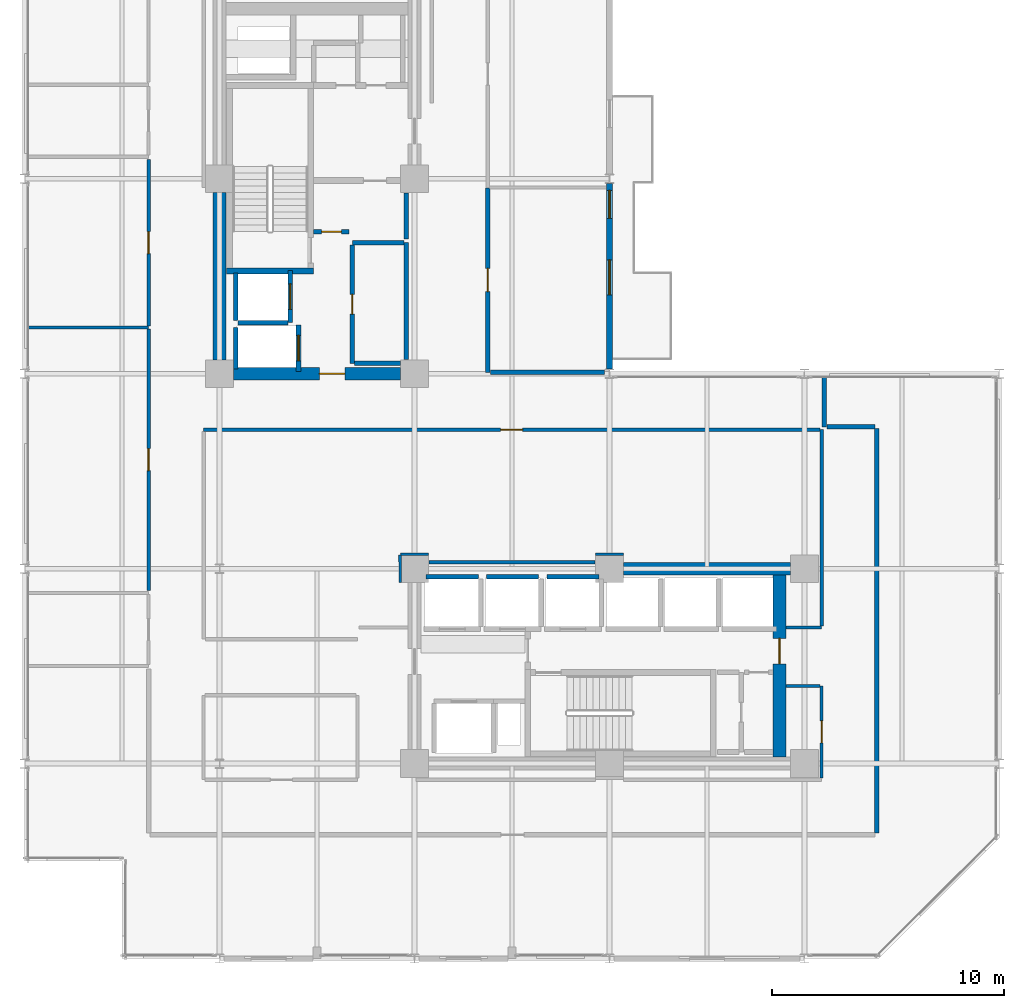
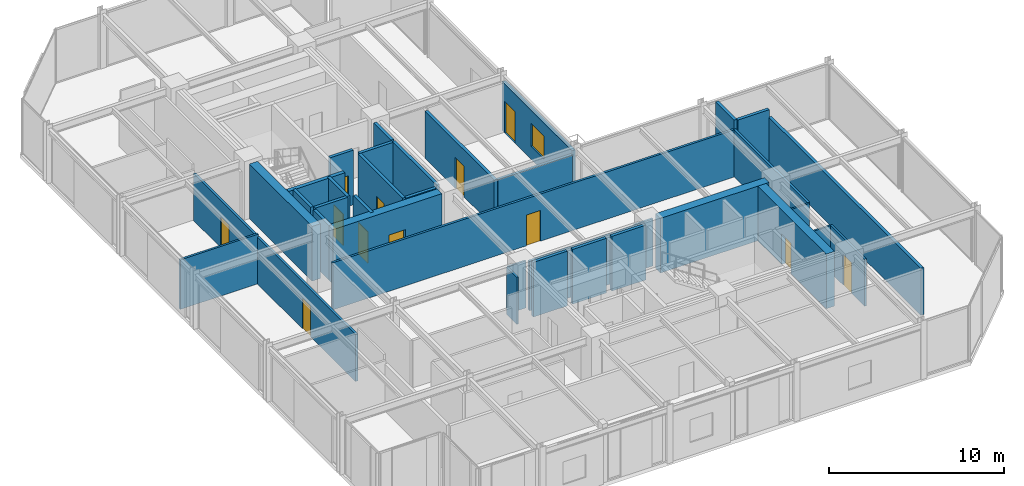
# One storey, part 25 of 29: 37 walls, 12 doors, 1 window, 13 openings.
"""IFC4 building model written with IfcOpenShell, lengths in metres."""

from ifc_helpers import new_model, si_unit, direction, frame, frame_2d, origin, place, context, subcontext, project, spatial, rectangle, extrude, material, layer, layer_set, type_object, element, fill, save


model = new_model("IFC4")

# Units and contexts
model_context = context("Model", 3, precision=1e-05, world=origin(), true_north=direction((0.0, 1.0)))
body_context = subcontext(model_context, "Body", "Model", "MODEL_VIEW")
ifc_project = project(units=[si_unit("LENGTHUNIT", "METRE"), si_unit("AREAUNIT", "SQUARE_METRE"), si_unit("VOLUMEUNIT", "CUBIC_METRE"), si_unit("PLANEANGLEUNIT", "RADIAN"), si_unit("MASSUNIT", "GRAM", prefix="KILO")], contexts=[model_context])

# Site, building, storey
site_placement = place(None, origin())
site = spatial("IfcSite", under=ifc_project, at=site_placement, CompositionType="ELEMENT")
building_placement = place(site_placement, origin())
building = spatial("IfcBuilding", under=site, at=building_placement, Name="Nerrivon Quay Data Exchange", CompositionType="ELEMENT")
storey_placement = place(building_placement, frame((0.0, 0.0, 137.699951171875)))
storey = spatial("IfcBuildingStorey", under=building, at=storey_placement, Name="L32", CompositionType="ELEMENT", Elevation=137.699951171875)

# Wall, openings, door, window
ifc_material_1 = material(Name="Architectural terracotta precast concrete N50 (50 MPa)", Category="masonry")
ifc_layer_1 = layer(ifc_material_1, 0.239990234375)
ifc_layer_set_1 = layer_set([ifc_layer_1], Name="Architectural terracotta precast concrete N50 (50 MPa)")
wall_type_1 = type_object("IfcWallType", Name="EW-PREC-240", PredefinedType="STANDARD", material=ifc_layer_set_1)
wall_1_placement = place(storey_placement, frame((25.199951171875, 33.39990234375, 0.0), z_axis=(0.0, 0.0, 1.0), x_axis=(0.0, -1.0, 0.0)))
wall_1 = element("IfcWall", 1, at=wall_1_placement, inside=storey, type_object=wall_type_1, Name="L32 Terrace Host Wall 25", PredefinedType="STANDARD", context=body_context, shape_type="SweptSolid", body=[
    extrude(rectangle(XDim=8.0, YDim=0.239990234375, at=frame_2d((4.0, 0.0))), origin(), (0.0, 0.0, 1.0), 3.422119140625),
])
opening_1_placement = place(wall_1_placement, frame((0.300048828125, 0.0, 0.0)))
opening_1 = element("IfcOpeningElement", 2, at=opening_1_placement, cuts=wall_1, Name="Opening TD1", PredefinedType="OPENING", context=body_context, shape_type="SweptSolid", body=[
    extrude(rectangle(XDim=1.199951171875, YDim=2.199951171875, at=frame_2d((0.60009765625, 1.10009765625))), frame((0.0, 0.1298828125, 0.0), z_axis=(0.0, -1.0, 0.0), x_axis=(1.0, 0.0, 0.0)), (0.0, 0.0, 1.0), 0.260009765625),
])
opening_2_placement = place(wall_1_placement, frame((3.299072265625, 0.0, 0.89990234375)))
opening_2 = element("IfcOpeningElement", 3, at=opening_2_placement, cuts=wall_1, Name="Opening WN4", PredefinedType="OPENING", context=body_context, shape_type="SweptSolid", body=[
    extrude(rectangle(XDim=1.5, YDim=1.60009765625, at=frame_2d((0.75, 0.800048828125))), frame((0.0, 0.1298828125, 0.0), z_axis=(0.0, -1.0, 0.0), x_axis=(1.0, 0.0, 0.0)), (0.0, 0.0, 1.0), 0.260009765625),
])
ifc_material_2 = material(Name="Double-glazed low-E solar control glass", Category="glass")
door_type_1 = type_object("IfcDoorType", Name="DR-TERR-1200x2200", OperationType="NOTDEFINED", PredefinedType="DOOR", material=ifc_material_2)
door_1_placement = place(opening_1_placement, origin())
door_1 = element("IfcDoor", 4, at=door_1_placement, inside=storey, type_object=door_type_1, Name="L32 Outdoor Terrace Access Door 25", OperationType="SINGLE_SWING_RIGHT", OverallHeight=2.199951171875, OverallWidth=1.199951171875, PredefinedType="DOOR", context=body_context, shape_type="SweptSolid", body=[
    extrude(rectangle(XDim=1.199951171875, YDim=2.199951171875, at=frame_2d((0.60009765625, 1.10009765625))), frame((0.0, 0.02490234375, 0.0), z_axis=(0.0, -1.0, 0.0), x_axis=(1.0, 0.0, 0.0)), (0.0, 0.0, 1.0), 0.050048828125),
])
fill(opening_1, door_1)
window_type = type_object("IfcWindowType", Name="WIN-W4-1500x1600", PartitioningType="SINGLE_PANEL", PredefinedType="WINDOW", material=ifc_material_2)
window_placement = place(opening_2_placement, origin())
window = element("IfcWindow", 5, at=window_placement, inside=storey, type_object=window_type, Name="L32 Terrace Side Window 25", OverallHeight=1.60009765625, OverallWidth=1.5, PartitioningType="SINGLE_PANEL", PredefinedType="WINDOW", context=body_context, shape_type="SweptSolid", body=[
    extrude(rectangle(XDim=1.5, YDim=1.60009765625, at=frame_2d((0.75, 0.800048828125))), frame((0.0, 0.030029296875, 0.0), z_axis=(0.0, -1.0, 0.0), x_axis=(1.0, 0.0, 0.0)), (0.0, 0.0, 1.0), 0.06005859375),
])
fill(opening_2, window)

# Wall
ifc_material_3 = material(Name="Concrete S65 (65 MPa)", Category="concrete")
ifc_layer_2 = layer(ifc_material_3, 0.550048828125)
ifc_layer_set_2 = layer_set([ifc_layer_2], Name="Concrete S65 (65 MPa)")
wall_type_2 = type_object("IfcWallType", Name="WALL-CW-700", PredefinedType="SHEAR", material=ifc_layer_set_2)
wall_2_placement = place(storey_placement, frame((8.39990234375, 25.800048828125, 0.0), z_axis=(0.0, 0.0, 1.0), x_axis=(0.0, 1.0, 0.0)))
element("IfcWall", 6, at=wall_2_placement, inside=storey, type_object=wall_type_2, Name="L32 West Split-Core Shear Wall WCW-W1", PredefinedType="SHEAR", context=body_context, shape_type="SweptSolid", body=[
    extrude(rectangle(XDim=7.199951171875, YDim=0.550048828125, at=frame_2d((3.60009765625, 0.0))), origin(), (0.0, 0.0, 1.0), 3.824951171875),
])

# Wall, opening, door
wall_3_placement = place(storey_placement, frame((9.0, 25.199951171875, 0.0), z_axis=(0.0, 0.0, 1.0), x_axis=(1.0, 0.0, 0.0)))
wall_3 = element("IfcWall", 7, at=wall_3_placement, inside=storey, type_object=wall_type_2, Name="L32 West Split-Core Shear Wall WCW-S1", PredefinedType="SHEAR", context=body_context, shape_type="SweptSolid", body=[
    extrude(rectangle(XDim=7.199951171875, YDim=0.550048828125, at=frame_2d((3.60009765625, 0.0))), origin(), (0.0, 0.0, 1.0), 3.824951171875),
])
opening_3_placement = place(wall_3_placement, frame((3.699951171875, 0.0, 0.0)))
opening_3 = element("IfcOpeningElement", 8, at=opening_3_placement, cuts=wall_3, Name="Opening FD-120", PredefinedType="OPENING", context=body_context, shape_type="SweptSolid", body=[
    extrude(rectangle(XDim=1.10009765625, YDim=2.14990234375, at=frame_2d((0.550048828125, 1.074951171875))), frame((0.0, 0.284912109375, 0.0), z_axis=(0.0, -1.0, 0.0), x_axis=(1.0, 0.0, 0.0)), (0.0, 0.0, 1.0), 0.570068359375),
])
ifc_material_4 = material(Name="Powder-coated galvanized steel sheet", Category="steel")
door_type_2 = type_object("IfcDoorType", Name="DR-FD120-1100", OperationType="NOTDEFINED", PredefinedType="DOOR", material=ifc_material_4)
door_2_placement = place(opening_3_placement, origin())
door_2 = element("IfcDoor", 9, at=door_2_placement, inside=storey, type_object=door_type_2, Name="L32 West Core Lobby Fire Door", OperationType="SINGLE_SWING_RIGHT", OverallHeight=2.14990234375, OverallWidth=1.10009765625, PredefinedType="DOOR", context=body_context, shape_type="SweptSolid", body=[
    extrude(rectangle(XDim=1.10009765625, YDim=2.14990234375, at=frame_2d((0.550048828125, 1.074951171875))), frame((0.0, 0.02490234375, 0.0), z_axis=(0.0, -1.0, 0.0), x_axis=(1.0, 0.0, 0.0)), (0.0, 0.0, 1.0), 0.050048828125),
])
fill(opening_3, door_2)

wall_4_placement = place(storey_placement, frame((32.52490234375, 8.675048828125, 0.0), z_axis=(0.0, 0.0, 1.0), x_axis=(0.0, 1.0, 0.0)))
wall_4 = element("IfcWall", 10, at=wall_4_placement, inside=storey, type_object=wall_type_2, Name="L32 East Split-Core Shear Wall ECW-E1", PredefinedType="SHEAR", context=body_context, shape_type="SweptSolid", body=[
    extrude(rectangle(XDim=7.849853515625, YDim=0.550048828125, at=frame_2d((3.9248046875, 0.0))), origin(), (0.0, 0.0, 1.0), 3.824951171875),
])
opening_4_placement = place(wall_4_placement, frame((4.02490234375, 0.0, 0.0)))
opening_4 = element("IfcOpeningElement", 11, at=opening_4_placement, cuts=wall_4, Name="Opening FD-120", PredefinedType="OPENING", context=body_context, shape_type="SweptSolid", body=[
    extrude(rectangle(XDim=1.10009765625, YDim=2.14990234375, at=frame_2d((0.550048828125, 1.074951171875))), frame((0.0, 0.284912109375, 0.0), z_axis=(0.0, -1.0, 0.0), x_axis=(1.0, 0.0, 0.0)), (0.0, 0.0, 1.0), 0.570068359375),
])
door_3_placement = place(opening_4_placement, origin())
door_3 = element("IfcDoor", 12, at=door_3_placement, inside=storey, type_object=door_type_2, Name="L32 East Core Lobby Fire Door", OperationType="SINGLE_SWING_LEFT", OverallHeight=2.14990234375, OverallWidth=1.10009765625, PredefinedType="DOOR", context=body_context, shape_type="SweptSolid", body=[
    extrude(rectangle(XDim=1.10009765625, YDim=2.14990234375, at=frame_2d((0.550048828125, 1.074951171875))), frame((0.0, 0.02490234375, 0.0), z_axis=(0.0, -1.0, 0.0), x_axis=(1.0, 0.0, 0.0)), (0.0, 0.0, 1.0), 0.050048828125),
])
fill(opening_4, door_3)

# Wall
wall_5_placement = place(storey_placement, frame((25.800048828125, 16.800048828125, 0.0), z_axis=(0.0, 0.0, 1.0), x_axis=(1.0, 0.0, 0.0)))
element("IfcWall", 13, at=wall_5_placement, inside=storey, type_object=wall_type_2, Name="L32 East Split-Core Shear Wall ECW-N1", PredefinedType="SHEAR", context=body_context, shape_type="SweptSolid", body=[
    extrude(rectangle(XDim=7.199951171875, YDim=0.550048828125, at=frame_2d((3.60009765625, 0.0))), origin(), (0.0, 0.0, 1.0), 3.824951171875),
])

# Wall, opening, door
ifc_material_5 = material(Name="Gypsum plasterboard on cold-formed framing", Category="gypsum")
ifc_layer_3 = layer(ifc_material_5, 0.199951171875)
ifc_layer_set_3 = layer_set([ifc_layer_3], Name="Gypsum plasterboard on cold-formed framing")
wall_type_3 = type_object("IfcWallType", Name="WALL-FW-200", PredefinedType="PARTITIONING", material=ifc_layer_set_3)
wall_6_placement = place(storey_placement, frame((11.449951171875, 27.39990234375, 0.0), z_axis=(0.0, 0.0, 1.0), x_axis=(0.0, 1.0, 0.0)))
wall_6 = element("IfcWall", 14, at=wall_6_placement, inside=storey, type_object=wall_type_3, Name="L32 Lift Front Wall FFL-1", PredefinedType="PARTITIONING", context=body_context, shape_type="SweptSolid", body=[
    extrude(rectangle(XDim=2.25, YDim=0.199951171875, at=frame_2d((1.125, 0.0))), origin(), (0.0, 0.0, 1.0), 3.824951171875),
])
opening_5_placement = place(wall_6_placement, frame((0.574951171875, 0.0, 0.0)))
opening_5 = element("IfcOpeningElement", 15, at=opening_5_placement, cuts=wall_6, Name="Opening LD-120", PredefinedType="OPENING", context=body_context, shape_type="SweptSolid", body=[
    extrude(rectangle(XDim=1.10009765625, YDim=2.199951171875, at=frame_2d((0.550048828125, 1.10009765625))), frame((0.0, 0.10986328125, 0.0), z_axis=(0.0, -1.0, 0.0), x_axis=(1.0, 0.0, 0.0)), (0.0, 0.0, 1.0), 0.219970703125),
])
door_type_3 = type_object("IfcDoorType", Name="DR-LIFT-LD120", OperationType="DOUBLE_DOOR_SLIDING", PredefinedType="DOOR", material=ifc_material_4)
door_4_placement = place(opening_5_placement, origin())
door_4 = element("IfcDoor", 16, at=door_4_placement, inside=storey, type_object=door_type_3, Name="L32 Lift Landing Sliding Door FFL-1", OperationType="DOUBLE_DOOR_SLIDING", OverallHeight=2.199951171875, OverallWidth=1.10009765625, PredefinedType="DOOR", context=body_context, shape_type="SweptSolid", body=[
    extrude(rectangle(XDim=1.10009765625, YDim=2.199951171875, at=frame_2d((0.550048828125, 1.10009765625))), frame((0.0, 0.02490234375, 0.0), z_axis=(0.0, -1.0, 0.0), x_axis=(1.0, 0.0, 0.0)), (0.0, 0.0, 1.0), 0.050048828125),
])
fill(opening_5, door_4)

# Walls
wall_7_placement = place(storey_placement, frame((9.10009765625, 27.5, 0.0), z_axis=(0.0, 0.0, 1.0), x_axis=(0.0, 1.0, 0.0)))
element("IfcWall", 17, at=wall_7_placement, inside=storey, type_object=wall_type_3, Name="L32 Lift Shaft Wall FFL-1 WEST", PredefinedType="PARTITIONING", context=body_context, shape_type="SweptSolid", body=[
    extrude(rectangle(XDim=2.050048828125, YDim=0.199951171875, at=frame_2d((1.02490234375, 0.0))), origin(), (0.0, 0.0, 1.0), 3.824951171875),
])
wall_8_placement = place(storey_placement, frame((9.199951171875, 27.39990234375, 0.0), z_axis=(0.0, 0.0, 1.0), x_axis=(1.0, 0.0, 0.0)))
element("IfcWall", 18, at=wall_8_placement, inside=storey, type_object=wall_type_3, Name="L32 Lift Shaft Wall FFL-1 SOUTH", PredefinedType="PARTITIONING", context=body_context, shape_type="SweptSolid", body=[
    extrude(rectangle(XDim=2.150146484375, YDim=0.199951171875, at=frame_2d((1.0751953125, 0.0))), origin(), (0.0, 0.0, 1.0), 3.824951171875),
])

# Wall, opening, door
wall_9_placement = place(storey_placement, frame((11.800048828125, 25.300048828125, 0.0), z_axis=(0.0, 0.0, 1.0), x_axis=(0.0, 1.0, 0.0)))
wall_9 = element("IfcWall", 19, at=wall_9_placement, inside=storey, type_object=wall_type_3, Name="L32 Lift Front Wall SVL-1", PredefinedType="PARTITIONING", context=body_context, shape_type="SweptSolid", body=[
    extrude(rectangle(XDim=2.0, YDim=0.199951171875, at=frame_2d((1.0, 0.0))), origin(), (0.0, 0.0, 1.0), 3.824951171875),
])
opening_6_placement = place(wall_9_placement, frame((0.449951171875, 0.0, 0.0)))
opening_6 = element("IfcOpeningElement", 20, at=opening_6_placement, cuts=wall_9, Name="Opening LD-120", PredefinedType="OPENING", context=body_context, shape_type="SweptSolid", body=[
    extrude(rectangle(XDim=1.10009765625, YDim=2.199951171875, at=frame_2d((0.550048828125, 1.10009765625))), frame((0.0, 0.10986328125, 0.0), z_axis=(0.0, -1.0, 0.0), x_axis=(1.0, 0.0, 0.0)), (0.0, 0.0, 1.0), 0.219970703125),
])
door_5_placement = place(opening_6_placement, origin())
door_5 = element("IfcDoor", 21, at=door_5_placement, inside=storey, type_object=door_type_3, Name="L32 Lift Landing Sliding Door SVL-1", OperationType="DOUBLE_DOOR_SLIDING", OverallHeight=2.199951171875, OverallWidth=1.10009765625, PredefinedType="DOOR", context=body_context, shape_type="SweptSolid", body=[
    extrude(rectangle(XDim=1.10009765625, YDim=2.199951171875, at=frame_2d((0.550048828125, 1.10009765625))), frame((0.0, 0.02490234375, 0.0), z_axis=(0.0, -1.0, 0.0), x_axis=(1.0, 0.0, 0.0)), (0.0, 0.0, 1.0), 0.050048828125),
])
fill(opening_6, door_5)

# Walls
wall_10_placement = place(storey_placement, frame((9.10009765625, 25.39990234375, 0.0), z_axis=(0.0, 0.0, 1.0), x_axis=(0.0, 1.0, 0.0)))
element("IfcWall", 22, at=wall_10_placement, inside=storey, type_object=wall_type_3, Name="L32 Lift Shaft Wall SVL-1 WEST", PredefinedType="PARTITIONING", context=body_context, shape_type="SweptSolid", body=[
    extrude(rectangle(XDim=1.800048828125, YDim=0.199951171875, at=frame_2d((0.89990234375, 0.0))), origin(), (0.0, 0.0, 1.0), 3.824951171875),
])
for number, where, z_axis, x_axis, name in (
    (23, (17.300048828125, 16.449951171875, 0.0), (0.0, 0.0, 1.0), (1.0, 0.0, 0.0), "L32 Lift Shaft Wall PL4 NORTH"),
    (24, (19.89990234375, 16.449951171875, 0.0), (0.0, 0.0, 1.0), (1.0, 0.0, 0.0), "L32 Lift Shaft Wall PL5 NORTH"),
    (25, (22.5, 16.449951171875, 0.0), (0.0, 0.0, 1.0), (1.0, 0.0, 0.0), "L32 Lift Shaft Wall PL6 NORTH"),
):
    element("IfcWall", number, at=place(storey_placement, frame(where, z_axis=z_axis, x_axis=x_axis)), inside=storey, type_object=wall_type_3, Name=name, PredefinedType="PARTITIONING", context=body_context, shape_type="SweptSolid", body=[
        extrude(rectangle(XDim=2.25, YDim=0.199951171875, at=frame_2d((1.125, 0.0))), origin(), (0.0, 0.0, 1.0), 3.824951171875),
    ])
wall_11_placement = place(storey_placement, frame((16.449951171875, 25.804931640625, 0.0), z_axis=(0.0, 0.0, 1.0), x_axis=(0.0, 1.0, 0.0)))
element("IfcWall", 26, at=wall_11_placement, inside=storey, type_object=wall_type_3, Name="L32 Partition Fibre Patch Store", PredefinedType="PARTITIONING", context=body_context, shape_type="SweptSolid", body=[
    extrude(rectangle(XDim=5.045166015625, YDim=0.199951171875, at=frame_2d((2.5224609375, 0.0))), origin(), (0.0, 0.0, 1.0), 3.824951171875),
])
wall_12_placement = place(storey_placement, frame((16.345947265625, 30.85009765625, 0.0), z_axis=(0.0, 0.0, 1.0), x_axis=(-1.0, 0.0, 0.0)))
element("IfcWall", 27, at=wall_12_placement, inside=storey, type_object=wall_type_3, Name="L32 Partition Fibre Patch Store", PredefinedType="PARTITIONING", context=body_context, shape_type="SweptSolid", body=[
    extrude(rectangle(XDim=2.225830078125, YDim=0.199951171875, at=frame_2d((1.11279296875, 0.0))), origin(), (0.0, 0.0, 1.0), 3.824951171875),
])

# Wall, opening, door
wall_13_placement = place(storey_placement, frame((14.1201171875, 30.74609375, 0.0), z_axis=(0.0, 0.0, 1.0), x_axis=(0.0, -1.0, 0.0)))
wall_13 = element("IfcWall", 28, at=wall_13_placement, inside=storey, type_object=wall_type_3, Name="L32 Partition Fibre Patch Store", PredefinedType="PARTITIONING", context=body_context, shape_type="SweptSolid", body=[
    extrude(rectangle(XDim=5.09619140625, YDim=0.199951171875, at=frame_2d((2.548095703125, 0.0))), origin(), (0.0, 0.0, 1.0), 3.824951171875),
])
opening_7_placement = place(wall_13_placement, frame((2.123046875, 0.0, 0.0)))
opening_7 = element("IfcOpeningElement", 29, at=opening_7_placement, cuts=wall_13, Name="Opening FD-60S", PredefinedType="OPENING", context=body_context, shape_type="SweptSolid", body=[
    extrude(rectangle(XDim=0.85009765625, YDim=2.14990234375, at=frame_2d((0.425048828125, 1.074951171875))), frame((0.0, 0.10986328125, 0.0), z_axis=(0.0, -1.0, 0.0), x_axis=(1.0, 0.0, 0.0)), (0.0, 0.0, 1.0), 0.219970703125),
])
ifc_material_6 = material(Name="Engineered hardwood timber", Category="wood")
door_type_4 = type_object("IfcDoorType", Name="DR-FD60-850", OperationType="NOTDEFINED", PredefinedType="DOOR", material=ifc_material_6)
door_6_placement = place(opening_7_placement, origin())
door_6 = element("IfcDoor", 30, at=door_6_placement, inside=storey, type_object=door_type_4, Name="L32 Door Fibre Patch Store", OperationType="SINGLE_SWING_LEFT", OverallHeight=2.14990234375, OverallWidth=0.85009765625, PredefinedType="DOOR", context=body_context, shape_type="SweptSolid", body=[
    extrude(rectangle(XDim=0.85009765625, YDim=2.14990234375, at=frame_2d((0.425048828125, 1.074951171875))), frame((0.0, 0.02490234375, 0.0), z_axis=(0.0, -1.0, 0.0), x_axis=(1.0, 0.0, 0.0)), (0.0, 0.0, 1.0), 0.050048828125),
])
fill(opening_7, door_6)

# Wall
wall_14_placement = place(storey_placement, frame((14.22412109375, 25.64990234375, 0.0), z_axis=(0.0, 0.0, 1.0), x_axis=(1.0, 0.0, 0.0)))
element("IfcWall", 31, at=wall_14_placement, inside=storey, type_object=wall_type_3, Name="L32 Partition Fibre Patch Store", PredefinedType="PARTITIONING", context=body_context, shape_type="SweptSolid", body=[
    extrude(rectangle(XDim=1.970947265625, YDim=0.199951171875, at=frame_2d((0.9853515625, 0.0))), origin(), (0.0, 0.0, 1.0), 3.824951171875),
])

# Wall, opening, door
wall_15_placement = place(storey_placement, frame((12.4541015625, 31.320068359375, 0.0), z_axis=(0.0, 0.0, 1.0), x_axis=(0.999999949061, -0.000319182876, 0.0)))
wall_15 = element("IfcWall", 32, at=wall_15_placement, inside=storey, type_object=wall_type_3, Name="L32 Partition Core Equipment Closet", PredefinedType="PARTITIONING", context=body_context, shape_type="SweptSolid", body=[
    extrude(rectangle(XDim=1.52978515625, YDim=0.199951171875, at=frame_2d((0.764892578125, 0.0))), origin(), (0.0, 0.0, 1.0), 3.824951171875),
])
opening_8_placement = place(wall_15_placement, frame((0.340087890625, 0.0, 0.0)))
opening_8 = element("IfcOpeningElement", 33, at=opening_8_placement, cuts=wall_15, Name="Opening FD-60S", PredefinedType="OPENING", context=body_context, shape_type="SweptSolid", body=[
    extrude(rectangle(XDim=0.85009765625, YDim=2.14990234375, at=frame_2d((0.425048828125, 1.074951171875))), frame((0.0, 0.10986328125, 0.0), z_axis=(0.0, -1.0, 0.0), x_axis=(1.0, 0.0, 0.0)), (0.0, 0.0, 1.0), 0.219970703125),
])
door_7_placement = place(opening_8_placement, origin())
door_7 = element("IfcDoor", 34, at=door_7_placement, inside=storey, type_object=door_type_4, Name="L32 Door Core Equipment Closet", OperationType="SINGLE_SWING_RIGHT", OverallHeight=2.14990234375, OverallWidth=0.85009765625, PredefinedType="DOOR", context=body_context, shape_type="SweptSolid", body=[
    extrude(rectangle(XDim=0.85009765625, YDim=2.14990234375, at=frame_2d((0.425048828125, 1.074951171875))), frame((0.0, 0.02490234375, 0.0), z_axis=(0.0, -1.0, 0.0), x_axis=(1.0, 0.0, 0.0)), (0.0, 0.0, 1.0), 0.050048828125),
])
fill(opening_8, door_7)

# Walls
wall_16_placement = place(storey_placement, frame((16.449951171875, 31.0, 0.0), z_axis=(0.0, 0.0, 1.0), x_axis=(0.0, 1.0, 0.0)))
element("IfcWall", 35, at=wall_16_placement, inside=storey, type_object=wall_type_3, Name="L32 Partition Core Equipment Closet", PredefinedType="PARTITIONING", context=body_context, shape_type="SweptSolid", body=[
    extrude(rectangle(XDim=1.9951171875, YDim=0.199951171875, at=frame_2d((0.99755859375, 0.0))), origin(), (0.0, 0.0, 1.0), 3.824951171875),
])
wall_17_placement = place(storey_placement, frame((34.4599609375, 25.031005859375, 0.0), z_axis=(0.0, 0.0, 1.0), x_axis=(0.0, -1.0, 0.0)))
element("IfcWall", 36, at=wall_17_placement, inside=storey, type_object=wall_type_3, Name="L32 Partition Colocation Data Workspace 1", PredefinedType="PARTITIONING", context=body_context, shape_type="SweptSolid", body=[
    extrude(rectangle(XDim=2.12109375, YDim=0.199951171875, at=frame_2d((1.060546875, 0.0))), origin(), (0.0, 0.0, 1.0), 3.824951171875),
])
wall_18_placement = place(storey_placement, frame((34.56396484375, 22.909912109375, 0.0), z_axis=(0.0, 0.0, 1.0), x_axis=(1.0, 0.0, 0.0)))
element("IfcWall", 37, at=wall_18_placement, inside=storey, type_object=wall_type_3, Name="L32 Partition Colocation Data Workspace 1", PredefinedType="PARTITIONING", context=body_context, shape_type="SweptSolid", body=[
    extrude(rectangle(XDim=2.0859375, YDim=0.199951171875, at=frame_2d((1.04296875, 0.0))), origin(), (0.0, 0.0, 1.0), 3.824951171875),
])
wall_19_placement = place(storey_placement, frame((36.7099609375, 22.85009765625, 0.0), z_axis=(0.0, 0.0, 1.0), x_axis=(0.0, -1.0, 0.0)))
element("IfcWall", 38, at=wall_19_placement, inside=storey, type_object=wall_type_3, Name="L32 Partition Colocation Data Workspace 1", PredefinedType="PARTITIONING", context=body_context, shape_type="SweptSolid", body=[
    extrude(rectangle(XDim=17.4501953125, YDim=0.199951171875, at=frame_2d((8.72509765625, 0.0))), origin(), (0.0, 0.0, 1.0), 3.2919921875),
])

# Wall, opening, door
wall_20_placement = place(storey_placement, frame((19.9599609375, 33.2119140625, 0.0), z_axis=(0.0, 0.0, 1.0), x_axis=(0.0, -1.0, 0.0)))
wall_20 = element("IfcWall", 39, at=wall_20_placement, inside=storey, type_object=wall_type_3, Name="L32 Partition Colocation Data Workspace 1", PredefinedType="PARTITIONING", context=body_context, shape_type="SweptSolid", body=[
    extrude(rectangle(XDim=7.951904296875, YDim=0.199951171875, at=frame_2d((3.97607421875, 0.0))), origin(), (0.0, 0.0, 1.0), 3.2919921875),
])
opening_9_placement = place(wall_20_placement, frame((3.47607421875, 0.0, 0.0)))
opening_9 = element("IfcOpeningElement", 40, at=opening_9_placement, cuts=wall_20, Name="Opening FD-60", PredefinedType="OPENING", context=body_context, shape_type="SweptSolid", body=[
    extrude(rectangle(XDim=1.0, YDim=2.14990234375, at=frame_2d((0.5, 1.074951171875))), frame((0.0, 0.10986328125, 0.0), z_axis=(0.0, -1.0, 0.0), x_axis=(1.0, 0.0, 0.0)), (0.0, 0.0, 1.0), 0.219970703125),
])
door_type_5 = type_object("IfcDoorType", Name="DR-FD60-1000", OperationType="NOTDEFINED", PredefinedType="DOOR", material=ifc_material_6)
door_8_placement = place(opening_9_placement, origin())
door_8 = element("IfcDoor", 41, at=door_8_placement, inside=storey, type_object=door_type_5, Name="L32 Door Colocation Data Workspace 1", OperationType="SINGLE_SWING_RIGHT", OverallHeight=2.14990234375, OverallWidth=1.0, PredefinedType="DOOR", context=body_context, shape_type="SweptSolid", body=[
    extrude(rectangle(XDim=1.0, YDim=2.14990234375, at=frame_2d((0.5, 1.074951171875))), frame((0.0, 0.02490234375, 0.0), z_axis=(0.0, -1.0, 0.0), x_axis=(1.0, 0.0, 0.0)), (0.0, 0.0, 1.0), 0.050048828125),
])
fill(opening_9, door_8)

# Walls
wall_21_placement = place(storey_placement, frame((20.06396484375, 25.260009765625, 0.0), z_axis=(0.0, 0.0, 1.0), x_axis=(1.0, 0.0, 0.0)))
element("IfcWall", 42, at=wall_21_placement, inside=storey, type_object=wall_type_3, Name="L32 Partition Colocation Data Workspace 1", PredefinedType="PARTITIONING", context=body_context, shape_type="SweptSolid", body=[
    extrude(rectangle(XDim=4.916015625, YDim=0.199951171875, at=frame_2d((2.4580078125, 0.0))), origin(), (0.0, 0.0, 1.0), 3.2919921875),
])
ifc_layer_4 = layer(ifc_material_5, 0.1201171875)
ifc_layer_set_4 = layer_set([ifc_layer_4], Name="Gypsum plasterboard on cold-formed framing")
wall_type_4 = type_object("IfcWallType", Name="WALL-PT-120", PredefinedType="PARTITIONING", material=ifc_layer_set_4)
wall_22_placement = place(storey_placement, frame((34.2685546875, 11.739990234375, 0.0), z_axis=(0.0, 0.0, 1.0), x_axis=(-1.0, 0.0, 0.0)))
element("IfcWall", 43, at=wall_22_placement, inside=storey, type_object=wall_type_4, Name="L32 Partition Staff Pantry", PredefinedType="PARTITIONING", context=body_context, shape_type="SweptSolid", body=[
    extrude(rectangle(XDim=1.464599609375, YDim=0.1201171875, at=frame_2d((0.732421875, 0.0))), origin(), (0.0, 0.0, 1.0), 3.297119140625),
])
wall_23_placement = place(storey_placement, frame((16.180908203125, 16.194091796875, 0.0), z_axis=(0.0, 0.0, 1.0), x_axis=(-0.000809880277, 0.999999672047, 0.0)))
element("IfcWall", 44, at=wall_23_placement, inside=storey, type_object=wall_type_4, Name="L32 Partition Peering Huddle Meeting Room", PredefinedType="PARTITIONING", context=body_context, shape_type="SweptSolid", body=[
    extrude(rectangle(XDim=1.205810546875, YDim=0.1201171875, at=frame_2d((0.60302734375, 0.0))), origin(), (0.0, 0.0, 1.0), 3.2919921875),
])
for number, where, z_axis, x_axis, name in (
    (45, (16.199951171875, 17.419921875, 0.0), (0.0, 0.0, 1.0), (0.999999815526, -0.000607410295, 0.0), "L32 Partition Peering Huddle Meeting Room"),
    (46, (24.59423828125, 17.419189453125, 0.0), (0.0, 0.0, 1.0), (0.999999815526, 0.000607410295, 0.0), "L32 Partition Peering Huddle Meeting Room"),
):
    element("IfcWall", number, at=place(storey_placement, frame(where, z_axis=z_axis, x_axis=x_axis)), inside=storey, type_object=wall_type_4, Name=name, PredefinedType="PARTITIONING", context=body_context, shape_type="SweptSolid", body=[
        extrude(rectangle(XDim=1.205810546875, YDim=0.1201171875, at=frame_2d((0.60302734375, 0.0))), origin(), (0.0, 0.0, 1.0), 3.297119140625),
    ])
wall_24_placement = place(storey_placement, frame((32.803955078125, 14.260009765625, 0.0), z_axis=(0.0, 0.0, 1.0), x_axis=(1.0, 0.0, 0.0)))
element("IfcWall", 47, at=wall_24_placement, inside=storey, type_object=wall_type_4, Name="L32 Partition Peering Huddle Meeting Room", PredefinedType="PARTITIONING", context=body_context, shape_type="SweptSolid", body=[
    extrude(rectangle(XDim=1.5361328125, YDim=0.1201171875, at=frame_2d((0.76806640625, 0.0))), origin(), (0.0, 0.0, 1.0), 3.297119140625),
])

# Wall, opening, door
ifc_layer_5 = layer(ifc_material_5, 0.135009765625)
ifc_layer_set_5 = layer_set([ifc_layer_5], Name="Gypsum plasterboard on cold-formed framing")
wall_type_5 = type_object("IfcWallType", Name="WALL-PT-135", PredefinedType="PARTITIONING", material=ifc_layer_set_5)
wall_25_placement = place(storey_placement, frame((34.340087890625, 7.7890625, 0.0), z_axis=(0.0, 0.0, 1.0), x_axis=(0.0, 1.0, 0.0)))
wall_25 = element("IfcWall", 48, at=wall_25_placement, inside=storey, type_object=wall_type_5, Name="L32 Partition Staff Pantry", PredefinedType="PARTITIONING", context=body_context, shape_type="SweptSolid", body=[
    extrude(rectangle(XDim=3.950927734375, YDim=0.135009765625, at=frame_2d((1.9755859375, 0.0))), origin(), (0.0, 0.0, 1.0), 3.2919921875),
])
opening_10_placement = place(wall_25_placement, frame((1.50048828125, 0.0, 0.0)))
opening_10 = element("IfcOpeningElement", 49, at=opening_10_placement, cuts=wall_25, Name="Opening D-01", PredefinedType="OPENING", context=body_context, shape_type="SweptSolid", body=[
    extrude(rectangle(XDim=0.949951171875, YDim=2.14990234375, at=frame_2d((0.47509765625, 1.074951171875))), frame((0.0, 0.077392578125, 0.0), z_axis=(0.0, -1.0, 0.0), x_axis=(1.0, 0.0, 0.0)), (0.0, 0.0, 1.0), 0.155029296875),
])
door_type_6 = type_object("IfcDoorType", Name="DR-INT-950", OperationType="NOTDEFINED", PredefinedType="DOOR", material=ifc_material_6)
door_9_placement = place(opening_10_placement, origin())
door_9 = element("IfcDoor", 50, at=door_9_placement, inside=storey, type_object=door_type_6, Name="L32 Door Staff Pantry", OperationType="SINGLE_SWING_LEFT", OverallHeight=2.14990234375, OverallWidth=0.949951171875, PredefinedType="DOOR", context=body_context, shape_type="SweptSolid", body=[
    extrude(rectangle(XDim=0.949951171875, YDim=2.14990234375, at=frame_2d((0.47509765625, 1.074951171875))), frame((0.0, 0.02490234375, 0.0), z_axis=(0.0, -1.0, 0.0), x_axis=(1.0, 0.0, 0.0)), (0.0, 0.0, 1.0), 0.050048828125),
])
fill(opening_10, door_9)

# Wall
wall_26_placement = place(storey_placement, frame((0.1689453125, 27.191650390625, 0.0), z_axis=(0.0, 0.0, 1.0), x_axis=(1.0, 0.0, 0.0)))
element("IfcWall", 51, at=wall_26_placement, inside=storey, type_object=wall_type_5, Name="L32 Partition Engineers Lounge", PredefinedType="PARTITIONING", context=body_context, shape_type="SweptSolid", body=[
    extrude(rectangle(XDim=5.171142578125, YDim=0.135009765625, at=frame_2d((2.58544921875, 0.0))), origin(), (0.0, 0.0, 1.0), 3.468994140625),
])

# Wall, opening, door
ifc_layer_6 = layer(ifc_material_5, 0.14990234375)
ifc_layer_set_6 = layer_set([ifc_layer_6], Name="Gypsum plasterboard on cold-formed framing")
wall_type_6 = type_object("IfcWallType", Name="WALL-PT-150", PredefinedType="PARTITIONING", material=ifc_layer_set_6)
wall_27_placement = place(storey_placement, frame((5.340087890625, 27.26318359375, 0.0), z_axis=(0.0, 0.0, 1.0), x_axis=(0.0, 1.0, 0.0)))
wall_27 = element("IfcWall", 52, at=wall_27_placement, inside=storey, type_object=wall_type_6, Name="L32 Partition Engineers Lounge", PredefinedType="PARTITIONING", context=body_context, shape_type="SweptSolid", body=[
    extrude(rectangle(XDim=7.166748046875, YDim=0.14990234375, at=frame_2d((3.58349609375, 0.0))), origin(), (0.0, 0.0, 1.0), 3.2919921875),
])
opening_11_placement = place(wall_27_placement, frame((3.1083984375, 0.0, 0.0)))
opening_11 = element("IfcOpeningElement", 53, at=opening_11_placement, cuts=wall_27, Name="Opening D-01", PredefinedType="OPENING", context=body_context, shape_type="SweptSolid", body=[
    extrude(rectangle(XDim=0.949951171875, YDim=2.14990234375, at=frame_2d((0.47509765625, 1.074951171875))), frame((0.0, 0.0849609375, 0.0), z_axis=(0.0, -1.0, 0.0), x_axis=(1.0, 0.0, 0.0)), (0.0, 0.0, 1.0), 0.169921875),
])
door_10_placement = place(opening_11_placement, origin())
door_10 = element("IfcDoor", 54, at=door_10_placement, inside=storey, type_object=door_type_6, Name="L32 Door Engineers Lounge", OperationType="SINGLE_SWING_LEFT", OverallHeight=2.14990234375, OverallWidth=0.949951171875, PredefinedType="DOOR", context=body_context, shape_type="SweptSolid", body=[
    extrude(rectangle(XDim=0.949951171875, YDim=2.14990234375, at=frame_2d((0.47509765625, 1.074951171875))), frame((0.0, 0.02490234375, 0.0), z_axis=(0.0, -1.0, 0.0), x_axis=(1.0, 0.0, 0.0)), (0.0, 0.0, 1.0), 0.050048828125),
])
fill(opening_11, door_10)

wall_28_placement = place(storey_placement, frame((5.340087890625, 15.8701171875, 0.0), z_axis=(0.0, 0.0, 1.0), x_axis=(0.0, 1.0, 0.0)))
wall_28 = element("IfcWall", 55, at=wall_28_placement, inside=storey, type_object=wall_type_6, Name="L32 Partition Peering Day Lounge", PredefinedType="PARTITIONING", context=body_context, shape_type="SweptSolid", body=[
    extrude(rectangle(XDim=11.25, YDim=0.14990234375, at=frame_2d((5.625, 0.0))), origin(), (0.0, 0.0, 1.0), 3.2919921875),
])
opening_12_placement = place(wall_28_placement, frame((5.150146484375, 0.0, 0.0)))
opening_12 = element("IfcOpeningElement", 56, at=opening_12_placement, cuts=wall_28, Name="Opening D-01", PredefinedType="OPENING", context=body_context, shape_type="SweptSolid", body=[
    extrude(rectangle(XDim=0.949951171875, YDim=2.14990234375, at=frame_2d((0.47509765625, 1.074951171875))), frame((0.0, 0.0849609375, 0.0), z_axis=(0.0, -1.0, 0.0), x_axis=(1.0, 0.0, 0.0)), (0.0, 0.0, 1.0), 0.169921875),
])
door_11_placement = place(opening_12_placement, origin())
door_11 = element("IfcDoor", 57, at=door_11_placement, inside=storey, type_object=door_type_6, Name="L32 Door Peering Day Lounge", OperationType="SINGLE_SWING_RIGHT", OverallHeight=2.14990234375, OverallWidth=0.949951171875, PredefinedType="DOOR", context=body_context, shape_type="SweptSolid", body=[
    extrude(rectangle(XDim=0.949951171875, YDim=2.14990234375, at=frame_2d((0.47509765625, 1.074951171875))), frame((0.0, 0.02490234375, 0.0), z_axis=(0.0, -1.0, 0.0), x_axis=(1.0, 0.0, 0.0)), (0.0, 0.0, 1.0), 0.050048828125),
])
fill(opening_12, door_11)

# Walls
wall_29_placement = place(storey_placement, frame((17.419921875, 17.074951171875, 0.0), z_axis=(0.0, 0.0, 1.0), x_axis=(1.0, 0.0, 0.0)))
element("IfcWall", 58, at=wall_29_placement, inside=storey, type_object=wall_type_6, Name="L32 Partition Peering Huddle Meeting Room", PredefinedType="PARTITIONING", context=body_context, shape_type="SweptSolid", body=[
    extrude(rectangle(XDim=7.16015625, YDim=0.14990234375, at=frame_2d((3.580078125, 0.0))), origin(), (0.0, 0.0, 1.0), 3.468994140625),
])
wall_30_placement = place(storey_placement, frame((34.340087890625, 14.323974609375, 0.0), z_axis=(0.0, 0.0, 1.0), x_axis=(0.0, 1.0, 0.0)))
element("IfcWall", 59, at=wall_30_placement, inside=storey, type_object=wall_type_6, Name="L32 Partition Peering Huddle Meeting Room", PredefinedType="PARTITIONING", context=body_context, shape_type="SweptSolid", body=[
    extrude(rectangle(XDim=8.466064453125, YDim=0.14990234375, at=frame_2d((4.23291015625, 0.0))), origin(), (0.0, 0.0, 1.0), 3.2919921875),
])

# Wall, opening, door
wall_31_placement = place(storey_placement, frame((34.260986328125, 22.7900390625, 0.0), z_axis=(0.0, 0.0, 1.0), x_axis=(-1.0, 0.0, 0.0)))
wall_31 = element("IfcWall", 60, at=wall_31_placement, inside=storey, type_object=wall_type_6, Name="L32 Partition Peering Huddle Meeting Room", PredefinedType="PARTITIONING", context=body_context, shape_type="SweptSolid", body=[
    extrude(rectangle(XDim=26.551025390625, YDim=0.14990234375, at=frame_2d((13.275390625, 0.0))), origin(), (0.0, 0.0, 1.0), 3.297119140625),
])
opening_13_placement = place(wall_31_placement, frame((12.800537109375, 0.0, 0.0)))
opening_13 = element("IfcOpeningElement", 61, at=opening_13_placement, cuts=wall_31, Name="Opening D-01", PredefinedType="OPENING", context=body_context, shape_type="SweptSolid", body=[
    extrude(rectangle(XDim=0.949951171875, YDim=2.14990234375, at=frame_2d((0.47509765625, 1.074951171875))), frame((0.0, 0.0849609375, 0.0), z_axis=(0.0, -1.0, 0.0), x_axis=(1.0, 0.0, 0.0)), (0.0, 0.0, 1.0), 0.169921875),
])
door_12_placement = place(opening_13_placement, origin())
door_12 = element("IfcDoor", 62, at=door_12_placement, inside=storey, type_object=door_type_6, Name="L32 Door Peering Huddle Meeting Room", OperationType="SINGLE_SWING_LEFT", OverallHeight=2.14990234375, OverallWidth=0.949951171875, PredefinedType="DOOR", context=body_context, shape_type="SweptSolid", body=[
    extrude(rectangle(XDim=0.949951171875, YDim=2.14990234375, at=frame_2d((0.47509765625, 1.074951171875))), frame((0.0, 0.02490234375, 0.0), z_axis=(0.0, -1.0, 0.0), x_axis=(1.0, 0.0, 0.0)), (0.0, 0.0, 1.0), 0.050048828125),
])
fill(opening_13, door_12)

# Wall
ifc_material_7 = material(Name="Concrete N50 (50 MPa)", Category="concrete")
ifc_layer_7 = layer(ifc_material_7, 0.25)
ifc_layer_set_7 = layer_set([ifc_layer_7], Name="Concrete N50 (50 MPa)")
wall_type_7 = type_object("IfcWallType", Name="WALL-SW-250", PredefinedType="SHEAR", material=ifc_layer_set_7)
wall_32_placement = place(storey_placement, frame((12.449951171875, 29.625, 0.0), z_axis=(0.0, 0.0, 1.0), x_axis=(-1.0, 0.0, 0.0)))
element("IfcWall", 63, at=wall_32_placement, inside=storey, type_object=wall_type_7, Name="L32 ST01 Structural Stair Core Wall NEAR", PredefinedType="SHEAR", context=body_context, shape_type="SweptSolid", body=[
    extrude(rectangle(XDim=3.75, YDim=0.25, at=frame_2d((1.875, 0.0))), origin(), (0.0, 0.0, 1.0), 3.824951171875),
])

save(model, "model.ifc")
